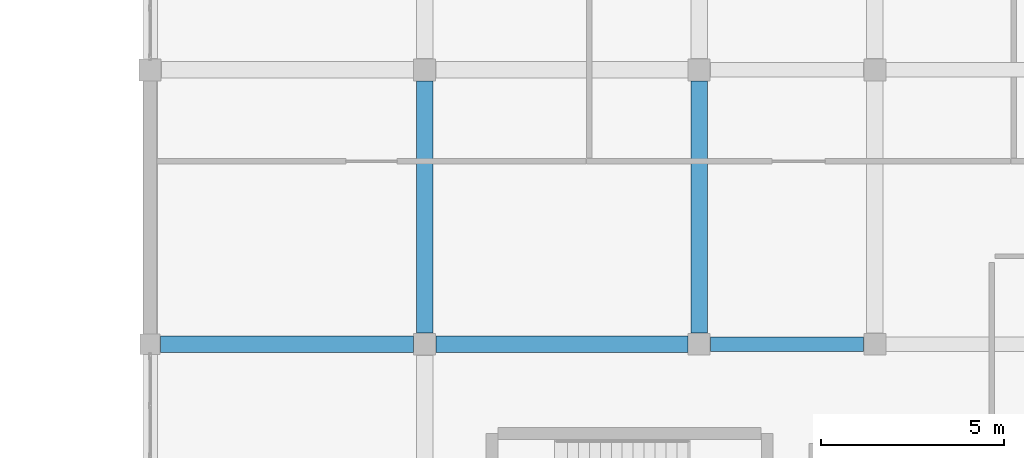
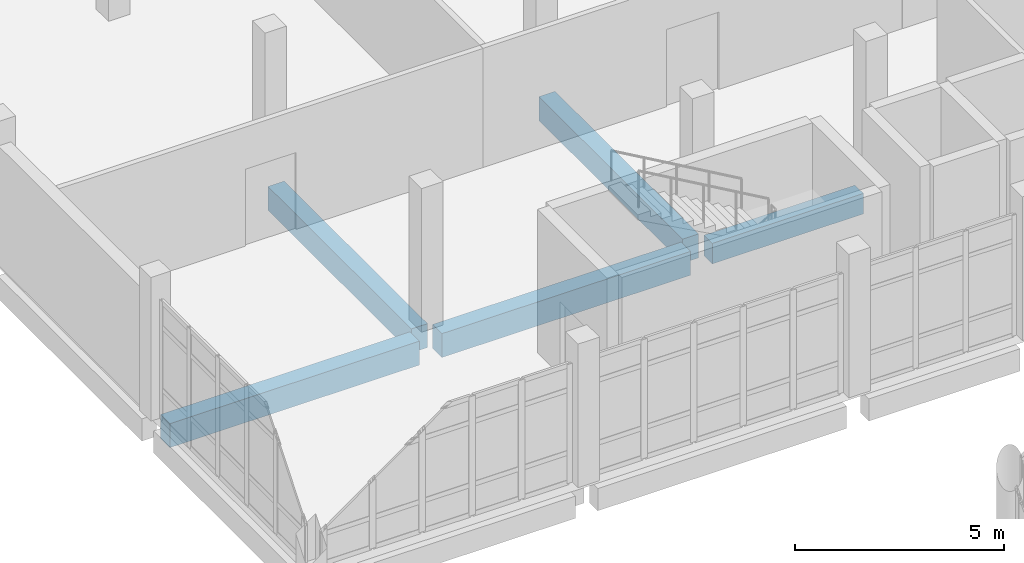
# One storey, part 76 of 164: 5 beams.
"""IFC4 building model written with IfcOpenShell, lengths in metres."""

from ifc_helpers import new_model, si_unit, direction, frame, origin, origin_2d, place, context, subcontext, project, spatial, rectangle, extrude, material, material_profile, profile_set, type_object, element, save


model = new_model("IFC4")

# Units and contexts
model_context = context("Model", 3, precision=1e-05, world=origin(), true_north=direction((0.0, 1.0)))
body_context = subcontext(model_context, "Body", "Model", "MODEL_VIEW")
ifc_project = project(units=[si_unit("LENGTHUNIT", "METRE"), si_unit("AREAUNIT", "SQUARE_METRE"), si_unit("VOLUMEUNIT", "CUBIC_METRE"), si_unit("PLANEANGLEUNIT", "RADIAN"), si_unit("MASSUNIT", "GRAM", prefix="KILO")], contexts=[model_context])

# Site, building, storey
site_placement = place(None, origin())
site = spatial("IfcSite", under=ifc_project, at=site_placement, CompositionType="ELEMENT")
building_placement = place(site_placement, origin())
building = spatial("IfcBuilding", under=site, at=building_placement, Name="Mawjan Specialist Oncology Clinic", CompositionType="ELEMENT")
storey_placement = place(building_placement, frame((0.0, 0.0, 5.0)))
storey = spatial("IfcBuildingStorey", under=building, at=storey_placement, Name="L01", CompositionType="ELEMENT", Elevation=5.0)

# Beams
ifc_material_1 = material(Name="Concrete C40/50", Category="concrete")
ifc_material_profile_1 = material_profile(ifc_material_1, rectangle(XDim=0.39990234375, YDim=0.60009765625, at=origin_2d()), Name="RC BM 400x600", Category="concrete")
ifc_profile_set_1 = profile_set([ifc_material_profile_1], Name="Concrete C40/50")
beam_type_1 = type_object("IfcBeamType", Name="BM-400x600", PredefinedType="BEAM", material=ifc_profile_set_1)
beam_1_placement = place(storey_placement, frame((60.31005859375, 90.800048828125, -0.60009765625), z_axis=(1.0, 0.0, 0.0), x_axis=(0.0, 1.0, 0.0)))
element("IfcBeam", 1, at=beam_1_placement, inside=storey, type_object=beam_type_1, Name="L01 Collector Beam BM-L01-0360", PredefinedType="BEAM", context=body_context, shape_type="SweptSolid", body=[
    extrude(rectangle(XDim=0.39990234375, YDim=0.60009765625, at=origin_2d()), origin(), (0.0, 0.0, 1.0), 4.179931640625),
])
ifc_material_2 = material(Name="Concrete C40/50", Category="concrete")
ifc_material_profile_2 = material_profile(ifc_material_2, rectangle(XDim=0.449951171875, YDim=0.699951171875, at=origin_2d()), Name="RC BM 450x700", Category="concrete")
ifc_profile_set_2 = profile_set([ifc_material_profile_2], Name="Concrete C40/50")
beam_type_2 = type_object("IfcBeamType", Name="BM-450x700", PredefinedType="BEAM", material=ifc_profile_set_2)
beam_2_placement = place(storey_placement, frame((45.284912109375, 90.800048828125, -0.64990234375), z_axis=(1.0, 0.0, 0.0), x_axis=(0.0, 1.0, 0.0)))
element("IfcBeam", 2, at=beam_2_placement, inside=storey, type_object=beam_type_2, Name="L01 Collector Beam BM-L01-0358", PredefinedType="BEAM", context=body_context, shape_type="SweptSolid", body=[
    extrude(rectangle(XDim=0.449951171875, YDim=0.699951171875, at=origin_2d()), origin(), (0.0, 0.0, 1.0), 6.905029296875),
])
for number, where, z_axis, x_axis, name in (
    (3, (52.81005859375, 90.800048828125, -0.64990234375), (1.0, 0.0, 0.0), (0.0, 1.0, 0.0), "L01 Collector Beam BM-L01-0359"),
    (4, (52.5, 91.110107421875, -0.64990234375), (0.0, 1.0, 0.0), (-1.0, 0.0, 0.0), "L01 Collector Beam BM-L01-0485"),
    (5, (60.0, 91.110107421875, -0.64990234375), (0.0, 1.0, 0.0), (-1.0, 0.0, 0.0), "L01 Collector Beam BM-L01-0492"),
):
    element("IfcBeam", number, at=place(storey_placement, frame(where, z_axis=z_axis, x_axis=x_axis)), inside=storey, type_object=beam_type_2, Name=name, PredefinedType="BEAM", context=body_context, shape_type="SweptSolid", body=[
        extrude(rectangle(XDim=0.449951171875, YDim=0.699951171875, at=origin_2d()), origin(), (0.0, 0.0, 1.0), 6.8798828125),
    ])

save(model, "model.ifc")
